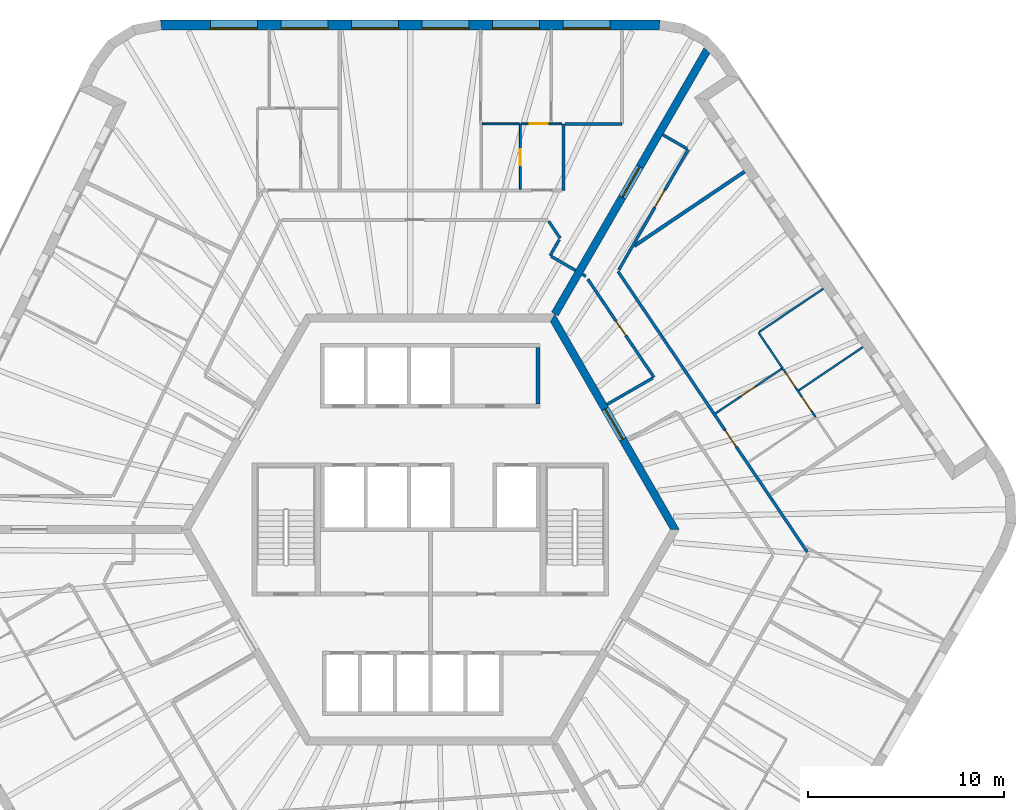
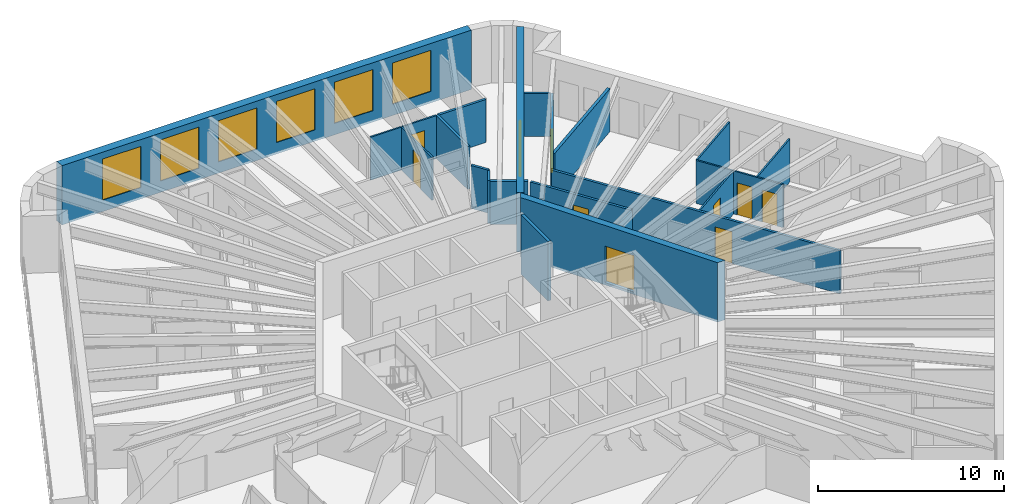
# One storey, part 10 of 12: 24 walls, 10 doors, 6 windows, 16 openings.
"""IFC4 building model written with IfcOpenShell, lengths in metres."""

from ifc_helpers import new_model, si_unit, direction, frame, frame_2d, origin, place, context, subcontext, project, spatial, polyline, rectangle, outline, extrude, material, layer, layer_set, type_object, element, fill, save


model = new_model("IFC4")

# Units and contexts
model_context = context("Model", 3, precision=1e-05, world=origin(), true_north=direction((0.0, 1.0)))
body_context = subcontext(model_context, "Body", "Model", "MODEL_VIEW")
ifc_project = project(units=[si_unit("LENGTHUNIT", "METRE"), si_unit("AREAUNIT", "SQUARE_METRE"), si_unit("VOLUMEUNIT", "CUBIC_METRE"), si_unit("PLANEANGLEUNIT", "RADIAN"), si_unit("MASSUNIT", "GRAM", prefix="KILO")], contexts=[model_context])

# Site, building, storey
site_placement = place(None, origin())
site = spatial("IfcSite", under=ifc_project, at=site_placement, CompositionType="ELEMENT")
building_placement = place(site_placement, origin())
building = spatial("IfcBuilding", under=site, at=building_placement, Name="Tarnside Tower", CompositionType="ELEMENT")
storey_placement = place(building_placement, frame((0.0, 0.0, 260.10009765625)))
storey = spatial("IfcBuildingStorey", under=building, at=storey_placement, Name="L62", CompositionType="ELEMENT", Elevation=260.10009765625)

# Wall, opening, door
ifc_material_1 = material(Name="Gypsum board partition on steel studs", Category="steel")
ifc_layer_1 = layer(ifc_material_1, 0.10009765625)
ifc_layer_set_1 = layer_set([ifc_layer_1], Name="Bathroom wall 100")
wall_type_1 = type_object("IfcWallType", Name="Bathroom wall 100", PredefinedType="PARTITIONING", material=ifc_layer_set_1)
wall_1_placement = place(storey_placement, frame((4.586181640625, 20.699951171875, 0.0), z_axis=(0.0, 0.0, 1.0), x_axis=(0.0, -1.0, 0.0)))
wall_1 = element("IfcWall", 1, at=wall_1_placement, inside=storey, type_object=wall_type_1, Name="Bathroom wall 20085", PredefinedType="PARTITIONING", context=body_context, shape_type="SweptSolid", body=[
    extrude(rectangle(XDim=3.324951171875, YDim=0.10009765625, at=frame_2d((1.66259765625, 0.0))), origin(), (0.0, 0.0, 1.0), 2.8232421875),
])
opening_1_placement = place(wall_1_placement, frame((1.300048828125, 0.0, 0.0)))
opening_1 = element("IfcOpeningElement", 2, at=opening_1_placement, cuts=wall_1, Name="Opening D-B1", PredefinedType="OPENING", context=body_context, shape_type="SweptSolid", body=[
    extrude(rectangle(XDim=0.800048828125, YDim=2.10009765625, at=frame_2d((0.39990234375, 1.050048828125))), frame((0.0, 0.06005859375, 0.0), z_axis=(0.0, -1.0, 0.0), x_axis=(1.0, 0.0, 0.0)), (0.0, 0.0, 1.0), 0.1201171875),
])
ifc_material_2 = material(Name="Timber door leaf", Category="wood")
door_type_1 = type_object("IfcDoorType", Name="Bathroom door 800", OperationType="NOTDEFINED", PredefinedType="DOOR", material=ifc_material_2)
door_1_placement = place(opening_1_placement, origin())
door_1 = element("IfcDoor", 3, at=door_1_placement, inside=storey, type_object=door_type_1, Name="Bathroom door 20002", OperationType="SINGLE_SWING_LEFT", OverallHeight=2.10009765625, OverallWidth=0.800048828125, PredefinedType="DOOR", context=body_context, shape_type="SweptSolid", body=[
    extrude(rectangle(XDim=0.800048828125, YDim=2.10009765625, at=frame_2d((0.39990234375, 1.050048828125))), frame((0.0, 0.02490234375, 0.0), z_axis=(0.0, -1.0, 0.0), x_axis=(1.0, 0.0, 0.0)), (0.0, 0.0, 1.0), 0.050048828125),
])
fill(opening_1, door_1)

# Wall
wall_2_placement = place(storey_placement, frame((4.5380859375, 20.699951171875, 0.0), z_axis=(0.0, 0.0, 1.0), x_axis=(-1.0, 0.0, 0.0)))
element("IfcWall", 4, at=wall_2_placement, inside=storey, type_object=wall_type_1, Name="Bathroom wall 20088", PredefinedType="PARTITIONING", context=body_context, shape_type="SweptSolid", body=[
    extrude(rectangle(XDim=1.904052734375, YDim=0.10009765625, at=frame_2d((0.9521484375, 0.0))), origin(), (0.0, 0.0, 1.0), 2.8232421875),
])

# Wall, opening, door
ifc_material_3 = material(Name="Concrete C60/75", Category="concrete")
ifc_layer_2 = layer(ifc_material_3, 0.39990234375)
ifc_layer_set_2 = layer_set([ifc_layer_2], Name="Core wall Z3 400 C60/75")
wall_type_2 = type_object("IfcWallType", Name="Core wall Z3 400 C60/75", PredefinedType="SHEAR", material=ifc_layer_set_2)
wall_3_placement = place(storey_placement, frame((12.470703125, 0.0, -0.150146484375), z_axis=(0.0, 0.0, 1.0), x_axis=(-0.499996419489, 0.866027470984, 0.0)))
wall_3 = element("IfcWall", 5, at=wall_3_placement, inside=storey, type_object=wall_type_2, Name="L62 core wall face 6", PredefinedType="SHEAR", context=body_context, shape_type="SweptSolid", body=[
    extrude(outline(polyline([(-0.115478515625, -0.199951171875), (12.586181640625, -0.199951171875), (12.355224609375, 0.199951171875), (0.115478515625, 0.199951171875), (-0.115478515625, -0.199951171875)])), origin(), (0.0, 0.0, 1.0), 3.900146484375),
])
opening_2_placement = place(wall_3_placement, frame((5.306396484375, 0.0, 0.14990234375)))
opening_2 = element("IfcOpeningElement", 6, at=opening_2_placement, cuts=wall_3, Name="Opening CD-LOB", PredefinedType="OPENING", context=body_context, shape_type="SweptSolid", body=[
    extrude(rectangle(XDim=1.800048828125, YDim=2.39990234375, at=frame_2d((0.89990234375, 1.199951171875))), frame((0.0, 0.2099609375, 0.0), z_axis=(0.0, -1.0, 0.0), x_axis=(1.0, 0.0, 0.0)), (0.0, 0.0, 1.0), 0.419921875),
])
ifc_material_4 = material(Name="Steel fire door", Category="steel")
door_type_2 = type_object("IfcDoorType", Name="Lobby double door FD30S 1800x2400", OperationType="NOTDEFINED", PredefinedType="DOOR", material=ifc_material_4)
door_2_placement = place(opening_2_placement, origin())
door_2 = element("IfcDoor", 7, at=door_2_placement, inside=storey, type_object=door_type_2, Name="L62 core door P2", OperationType="DOUBLE_DOOR_SINGLE_SWING", OverallHeight=2.39990234375, OverallWidth=1.800048828125, PredefinedType="DOOR", context=body_context, shape_type="SweptSolid", body=[
    extrude(rectangle(XDim=1.800048828125, YDim=2.39990234375, at=frame_2d((0.89990234375, 1.199951171875))), frame((0.0, 0.02490234375, 0.0), z_axis=(0.0, -1.0, 0.0), x_axis=(1.0, 0.0, 0.0)), (0.0, 0.0, 1.0), 0.050048828125),
])
fill(opening_2, door_2)

wall_4_placement = place(storey_placement, frame((6.350830078125, 11.0, -0.150146484375), z_axis=(0.0, 0.0, 1.0), x_axis=(0.499998894578, 0.866026041999, 0.0)))
wall_4 = element("IfcWall", 8, at=wall_4_placement, inside=storey, type_object=wall_type_2, Name="L62 spine wall 1", PredefinedType="SHEAR", context=body_context, shape_type="SweptSolid", body=[
    extrude(rectangle(XDim=15.54443359375, YDim=0.39990234375, at=frame_2d((7.772216796875, 0.0))), origin(), (0.0, 0.0, 1.0), 3.900146484375),
])
opening_3_placement = place(wall_4_placement, frame((6.872314453125, 0.0, 0.14990234375)))
opening_3 = element("IfcOpeningElement", 9, at=opening_3_placement, cuts=wall_4, Name="Opening CD-SPN", PredefinedType="OPENING", context=body_context, shape_type="SweptSolid", body=[
    extrude(rectangle(XDim=1.800048828125, YDim=2.39990234375, at=frame_2d((0.89990234375, 1.199951171875))), frame((0.0, 0.2099609375, 0.0), z_axis=(0.0, -1.0, 0.0), x_axis=(1.0, 0.0, 0.0)), (0.0, 0.0, 1.0), 0.419921875),
])
door_type_3 = type_object("IfcDoorType", Name="Spine passage double door FD60 1800x2400", OperationType="NOTDEFINED", PredefinedType="DOOR", material=ifc_material_4)
door_3_placement = place(opening_3_placement, origin())
door_3 = element("IfcDoor", 10, at=door_3_placement, inside=storey, type_object=door_type_3, Name="L62 spine passage door 1", OperationType="DOUBLE_DOOR_SINGLE_SWING", OverallHeight=2.39990234375, OverallWidth=1.800048828125, PredefinedType="DOOR", context=body_context, shape_type="SweptSolid", body=[
    extrude(rectangle(XDim=1.800048828125, YDim=2.39990234375, at=frame_2d((0.89990234375, 1.199951171875))), frame((0.0, 0.02490234375, 0.0), z_axis=(0.0, -1.0, 0.0), x_axis=(1.0, 0.0, 0.0)), (0.0, 0.0, 1.0), 0.050048828125),
])
fill(opening_3, door_3)

# Walls
ifc_layer_3 = layer(ifc_material_1, 0.14990234375)
ifc_layer_set_3 = layer_set([ifc_layer_3], Name="Corridor wall 150 EI 60")
wall_type_3 = type_object("IfcWallType", Name="Corridor wall 150 EI 60", PredefinedType="PARTITIONING", material=ifc_layer_set_3)
wall_5_placement = place(storey_placement, frame((6.7861328125, 20.699951171875, 0.0), z_axis=(0.0, 0.0, 1.0), x_axis=(0.0, -1.0, 0.0)))
element("IfcWall", 11, at=wall_5_placement, inside=storey, type_object=wall_type_3, Name="Corridor wall 20002", PredefinedType="PARTITIONING", context=body_context, shape_type="SweptSolid", body=[
    extrude(rectangle(XDim=3.39990234375, YDim=0.14990234375, at=frame_2d((1.699951171875, 0.0))), origin(), (0.0, 0.0, 1.0), 2.8232421875),
])
wall_6_placement = place(storey_placement, frame((9.77392578125, 20.699951171875, 0.0), z_axis=(0.0, 0.0, 1.0), x_axis=(-1.0, 0.0, 0.0)))
element("IfcWall", 12, at=wall_6_placement, inside=storey, type_object=wall_type_3, Name="Corridor wall 20005", PredefinedType="PARTITIONING", context=body_context, shape_type="SweptSolid", body=[
    extrude(rectangle(XDim=2.916259765625, YDim=0.14990234375, at=frame_2d((1.4580078125, 0.0))), origin(), (0.0, 0.0, 1.0), 2.8232421875),
])
wall_7_placement = place(storey_placement, frame((6.0390625, 15.72509765625, 0.0), z_axis=(0.0, 0.0, 1.0), x_axis=(0.559307154107, -0.828960498073, 0.0)))
element("IfcWall", 13, at=wall_7_placement, inside=storey, type_object=wall_type_3, Name="Corridor wall 20020", PredefinedType="PARTITIONING", context=body_context, shape_type="SweptSolid", body=[
    extrude(rectangle(XDim=1.03759765625, YDim=0.14990234375, at=frame_2d((0.518798828125, 0.0))), origin(), (0.0, 0.0, 1.0), 2.8232421875),
])
wall_8_placement = place(storey_placement, frame((6.57763671875, 14.792724609375, 0.0), z_axis=(0.0, 0.0, 1.0), x_axis=(-0.499998034377, -0.866026538634, 0.0)))
element("IfcWall", 14, at=wall_8_placement, inside=storey, type_object=wall_type_3, Name="Corridor wall 20021", PredefinedType="PARTITIONING", context=body_context, shape_type="SweptSolid", body=[
    extrude(rectangle(XDim=0.94580078125, YDim=0.14990234375, at=frame_2d((0.472900390625, 0.0))), origin(), (0.0, 0.0, 1.0), 2.8232421875),
])
wall_9_placement = place(storey_placement, frame((6.169677734375, 13.936279296875, 0.0), z_axis=(0.0, 0.0, 1.0), x_axis=(0.865988727248, -0.500063520245, 0.0)))
element("IfcWall", 15, at=wall_9_placement, inside=storey, type_object=wall_type_3, Name="Corridor wall 20022", PredefinedType="PARTITIONING", context=body_context, shape_type="SweptSolid", body=[
    extrude(rectangle(XDim=1.425048828125, YDim=0.14990234375, at=frame_2d((0.71240234375, 0.0))), origin(), (0.0, 0.0, 1.0), 2.8232421875),
])

# Wall, opening, door
wall_10_placement = place(storey_placement, frame((19.22802734375, -1.14599609375, 0.0), z_axis=(0.0, 0.0, 1.0), x_axis=(-0.559190017735, 0.829039519001, 0.0)))
wall_10 = element("IfcWall", 16, at=wall_10_placement, inside=storey, type_object=wall_type_3, Name="Corridor wall 20059", PredefinedType="PARTITIONING", context=body_context, shape_type="SweptSolid", body=[
    extrude(rectangle(XDim=17.273193359375, YDim=0.14990234375, at=frame_2d((8.63671875, 0.0))), origin(), (0.0, 0.0, 1.0), 2.8232421875),
])
opening_4_placement = place(wall_10_placement, frame((6.4775390625, 0.0, 0.0)))
opening_4 = element("IfcOpeningElement", 17, at=opening_4_placement, cuts=wall_10, Name="Opening D-E1", PredefinedType="OPENING", context=body_context, shape_type="SweptSolid", body=[
    extrude(rectangle(XDim=1.0, YDim=2.10009765625, at=frame_2d((0.5, 1.050048828125))), frame((0.0, 0.0849609375, 0.0), z_axis=(0.0, -1.0, 0.0), x_axis=(1.0, 0.0, 0.0)), (0.0, 0.0, 1.0), 0.169921875),
])
door_type_4 = type_object("IfcDoorType", Name="Unit entrance door 1000 FD30S", OperationType="NOTDEFINED", PredefinedType="DOOR", material=ifc_material_2)
door_4_placement = place(opening_4_placement, origin())
door_4 = element("IfcDoor", 18, at=door_4_placement, inside=storey, type_object=door_type_4, Name="Unit door 20065", OperationType="SINGLE_SWING_RIGHT", OverallHeight=2.10009765625, OverallWidth=1.0, PredefinedType="DOOR", context=body_context, shape_type="SweptSolid", body=[
    extrude(rectangle(XDim=1.0, YDim=2.10009765625, at=frame_2d((0.5, 1.050048828125))), frame((0.0, 0.02490234375, 0.0), z_axis=(0.0, -1.0, 0.0), x_axis=(1.0, 0.0, 0.0)), (0.0, 0.0, 1.0), 0.050048828125),
])
fill(opening_4, door_4)

wall_11_placement = place(storey_placement, frame((9.61083984375, 13.246337890625, 0.0), z_axis=(0.0, 0.0, 1.0), x_axis=(0.499994435258, 0.866028616566, 0.0)))
wall_11 = element("IfcWall", 19, at=wall_11_placement, inside=storey, type_object=wall_type_3, Name="Corridor wall 20064", PredefinedType="PARTITIONING", context=body_context, shape_type="SweptSolid", body=[
    extrude(rectangle(XDim=7.0966796875, YDim=0.14990234375, at=frame_2d((3.54833984375, 0.0))), origin(), (0.0, 0.0, 1.0), 2.8232421875),
])
opening_5_placement = place(wall_11_placement, frame((3.696044921875, 0.0, 0.0)))
opening_5 = element("IfcOpeningElement", 20, at=opening_5_placement, cuts=wall_11, Name="Opening D-E1", PredefinedType="OPENING", context=body_context, shape_type="SweptSolid", body=[
    extrude(rectangle(XDim=1.0, YDim=2.10009765625, at=frame_2d((0.5, 1.050048828125))), frame((0.0, 0.0849609375, 0.0), z_axis=(0.0, -1.0, 0.0), x_axis=(1.0, 0.0, 0.0)), (0.0, 0.0, 1.0), 0.169921875),
])
door_5_placement = place(opening_5_placement, origin())
door_5 = element("IfcDoor", 21, at=door_5_placement, inside=storey, type_object=door_type_4, Name="Unit door 20070", OperationType="SINGLE_SWING_RIGHT", OverallHeight=2.10009765625, OverallWidth=1.0, PredefinedType="DOOR", context=body_context, shape_type="SweptSolid", body=[
    extrude(rectangle(XDim=1.0, YDim=2.10009765625, at=frame_2d((0.5, 1.050048828125))), frame((0.0, 0.02490234375, 0.0), z_axis=(0.0, -1.0, 0.0), x_axis=(1.0, 0.0, 0.0)), (0.0, 0.0, 1.0), 0.050048828125),
])
fill(opening_5, door_5)

# Walls
wall_12_placement = place(storey_placement, frame((13.09423828125, 19.429931640625, 0.0), z_axis=(0.0, 0.0, 1.0), x_axis=(-0.866062911188, 0.499935029643, 0.0)))
element("IfcWall", 22, at=wall_12_placement, inside=storey, type_object=wall_type_3, Name="Corridor wall 20068", PredefinedType="PARTITIONING", context=body_context, shape_type="SweptSolid", body=[
    extrude(rectangle(XDim=1.425048828125, YDim=0.14990234375, at=frame_2d((0.71240234375, 0.0))), origin(), (0.0, 0.0, 1.0), 2.8232421875),
])
wall_13_placement = place(storey_placement, frame((7.750244140625, 13.023681640625, 0.0), z_axis=(0.0, 0.0, 1.0), x_axis=(0.866088799389, -0.499890179513, 0.0)))
element("IfcWall", 23, at=wall_13_placement, inside=storey, type_object=wall_type_3, Name="Corridor wall 20078", PredefinedType="PARTITIONING", context=body_context, shape_type="SweptSolid", body=[
    extrude(rectangle(XDim=0.2099609375, YDim=0.14990234375, at=frame_2d((0.10498046875, 0.0))), origin(), (0.0, 0.0, 1.0), 2.8232421875),
])

# Wall, opening, door
wall_14_placement = place(storey_placement, frame((8.02783203125, 12.77685546875, 0.0), z_axis=(0.0, 0.0, 1.0), x_axis=(0.559175239609, -0.829049486707, 0.0)))
wall_14 = element("IfcWall", 24, at=wall_14_placement, inside=storey, type_object=wall_type_3, Name="Corridor wall 20079", PredefinedType="PARTITIONING", context=body_context, shape_type="SweptSolid", body=[
    extrude(rectangle(XDim=6.044921875, YDim=0.14990234375, at=frame_2d((3.0224609375, 0.0))), origin(), (0.0, 0.0, 1.0), 2.8232421875),
])
opening_6_placement = place(wall_14_placement, frame((2.572265625, 0.0, 0.0)))
opening_6 = element("IfcOpeningElement", 25, at=opening_6_placement, cuts=wall_14, Name="Opening D-S1", PredefinedType="OPENING", context=body_context, shape_type="SweptSolid", body=[
    extrude(rectangle(XDim=0.89990234375, YDim=2.10009765625, at=frame_2d((0.449951171875, 1.050048828125))), frame((0.0, 0.0849609375, 0.0), z_axis=(0.0, -1.0, 0.0), x_axis=(1.0, 0.0, 0.0)), (0.0, 0.0, 1.0), 0.169921875),
])
door_type_5 = type_object("IfcDoorType", Name="Service room door 900 FD30S", OperationType="NOTDEFINED", PredefinedType="DOOR", material=ifc_material_2)
door_6_placement = place(opening_6_placement, origin())
door_6 = element("IfcDoor", 26, at=door_6_placement, inside=storey, type_object=door_type_5, Name="Service door 20077", OperationType="SINGLE_SWING_RIGHT", OverallHeight=2.10009765625, OverallWidth=0.89990234375, PredefinedType="DOOR", context=body_context, shape_type="SweptSolid", body=[
    extrude(rectangle(XDim=0.89990234375, YDim=2.10009765625, at=frame_2d((0.449951171875, 1.050048828125))), frame((0.0, 0.02490234375, 0.0), z_axis=(0.0, -1.0, 0.0), x_axis=(1.0, 0.0, 0.0)), (0.0, 0.0, 1.0), 0.050048828125),
])
fill(opening_6, door_6)

# Walls
wall_15_placement = place(storey_placement, frame((11.3427734375, 7.727783203125, 0.0), z_axis=(0.0, 0.0, 1.0), x_axis=(-0.866037314867, -0.499979368833, 0.0)))
element("IfcWall", 27, at=wall_15_placement, inside=storey, type_object=wall_type_3, Name="Corridor wall 20080", PredefinedType="PARTITIONING", context=body_context, shape_type="SweptSolid", body=[
    extrude(rectangle(XDim=2.68701171875, YDim=0.14990234375, at=frame_2d((1.343505859375, 0.0))), origin(), (0.0, 0.0, 1.0), 2.8232421875),
])
ifc_layer_4 = layer(ifc_material_1, 0.179931640625)
ifc_layer_set_4 = layer_set([ifc_layer_4], Name="Demising wall 180 EI 60")
wall_type_4 = type_object("IfcWallType", Name="Demising wall 180 EI 60", PredefinedType="PARTITIONING", material=ifc_layer_set_4)
wall_16_placement = place(storey_placement, frame((16.029296875, 18.260498046875, 0.0), z_axis=(0.0, 0.0, 1.0), x_axis=(-0.82904538001, -0.559181328268, 0.0)))
element("IfcWall", 28, at=wall_16_placement, inside=storey, type_object=wall_type_4, Name="Demising wall 20162", PredefinedType="PARTITIONING", context=body_context, shape_type="SweptSolid", body=[
    extrude(rectangle(XDim=6.78955078125, YDim=0.179931640625, at=frame_2d((3.394775390625, 0.0))), origin(), (0.0, 0.0, 1.0), 2.8232421875),
])
ifc_material_5 = material(Name="Concrete C40/50", Category="concrete")
ifc_layer_5 = layer(ifc_material_5, 0.199951171875)
ifc_layer_set_5 = layer_set([ifc_layer_5], Name="Lift shaft wall 200 C40/50")
wall_type_5 = type_object("IfcWallType", Name="Lift shaft wall 200 C40/50", PredefinedType="SHEAR", material=ifc_layer_set_5)
wall_17_placement = place(storey_placement, frame((5.5, 6.39990234375, -0.25), z_axis=(0.0, 0.0, 1.0), x_axis=(0.0, 1.0, 0.0)))
element("IfcWall", 29, at=wall_17_placement, inside=storey, type_object=wall_type_5, Name="L62 lift shaft partition R16", PredefinedType="SHEAR", context=body_context, shape_type="SweptSolid", body=[
    extrude(rectangle(XDim=2.900146484375, YDim=0.199951171875, at=frame_2d((1.4501953125, 0.0))), origin(), (0.0, 0.0, 1.0), 3.89990234375),
])

# Wall, opening, door
ifc_layer_6 = layer(ifc_material_1, 0.10009765625)
ifc_layer_set_6 = layer_set([ifc_layer_6], Name="Partition 100")
wall_type_6 = type_object("IfcWallType", Name="Partition 100", PredefinedType="PARTITIONING", material=ifc_layer_set_6)
wall_18_placement = place(storey_placement, frame((6.713134765625, 20.699951171875, 0.0), z_axis=(0.0, 0.0, 1.0), x_axis=(-1.0, 0.0, 0.0)))
wall_18 = element("IfcWall", 30, at=wall_18_placement, inside=storey, type_object=wall_type_6, Name="Partition wall 20086", PredefinedType="PARTITIONING", context=body_context, shape_type="SweptSolid", body=[
    extrude(rectangle(XDim=2.0791015625, YDim=0.10009765625, at=frame_2d((1.03955078125, 0.0))), origin(), (0.0, 0.0, 1.0), 2.8232421875),
])
opening_7_placement = place(wall_18_placement, frame((0.738037109375, 0.0, 0.0)))
opening_7 = element("IfcOpeningElement", 31, at=opening_7_placement, cuts=wall_18, Name="Opening D-I1", PredefinedType="OPENING", context=body_context, shape_type="SweptSolid", body=[
    extrude(rectangle(XDim=0.89990234375, YDim=2.10009765625, at=frame_2d((0.449951171875, 1.050048828125))), frame((0.0, 0.06005859375, 0.0), z_axis=(0.0, -1.0, 0.0), x_axis=(1.0, 0.0, 0.0)), (0.0, 0.0, 1.0), 0.1201171875),
])
door_type_6 = type_object("IfcDoorType", Name="Internal door 900", OperationType="NOTDEFINED", PredefinedType="DOOR", material=ifc_material_2)
door_7_placement = place(opening_7_placement, origin())
door_7 = element("IfcDoor", 32, at=door_7_placement, inside=storey, type_object=door_type_6, Name="Internal door 20005", OperationType="SINGLE_SWING_RIGHT", OverallHeight=2.10009765625, OverallWidth=0.89990234375, PredefinedType="DOOR", context=body_context, shape_type="SweptSolid", body=[
    extrude(rectangle(XDim=0.89990234375, YDim=2.10009765625, at=frame_2d((0.449951171875, 1.050048828125))), frame((0.0, 0.02490234375, 0.0), z_axis=(0.0, -1.0, 0.0), x_axis=(1.0, 0.0, 0.0)), (0.0, 0.0, 1.0), 0.050048828125),
])
fill(opening_7, door_7)

wall_19_placement = place(storey_placement, frame((14.5498046875, 5.924072265625, 0.0), z_axis=(0.0, 0.0, 1.0), x_axis=(0.829005765264, 0.559240056827, 0.0)))
wall_19 = element("IfcWall", 33, at=wall_19_placement, inside=storey, type_object=wall_type_6, Name="Partition wall 20159", PredefinedType="PARTITIONING", context=body_context, shape_type="SweptSolid", body=[
    extrude(rectangle(XDim=4.125, YDim=0.10009765625, at=frame_2d((2.0625, 0.0))), origin(), (0.0, 0.0, 1.0), 2.8232421875),
])
opening_8_placement = place(wall_19_placement, frame((1.574951171875, 0.0, 0.0)))
opening_8 = element("IfcOpeningElement", 34, at=opening_8_placement, cuts=wall_19, Name="Opening D-I1", PredefinedType="OPENING", context=body_context, shape_type="SweptSolid", body=[
    extrude(rectangle(XDim=0.89990234375, YDim=2.10009765625, at=frame_2d((0.449951171875, 1.050048828125))), frame((0.0, 0.06005859375, 0.0), z_axis=(0.0, -1.0, 0.0), x_axis=(1.0, 0.0, 0.0)), (0.0, 0.0, 1.0), 0.1201171875),
])
door_8_placement = place(opening_8_placement, origin())
door_8 = element("IfcDoor", 35, at=door_8_placement, inside=storey, type_object=door_type_6, Name="Internal door 20067", OperationType="SINGLE_SWING_RIGHT", OverallHeight=2.10009765625, OverallWidth=0.89990234375, PredefinedType="DOOR", context=body_context, shape_type="SweptSolid", body=[
    extrude(rectangle(XDim=0.89990234375, YDim=2.10009765625, at=frame_2d((0.449951171875, 1.050048828125))), frame((0.0, 0.02490234375, 0.0), z_axis=(0.0, -1.0, 0.0), x_axis=(1.0, 0.0, 0.0)), (0.0, 0.0, 1.0), 0.050048828125),
])
fill(opening_8, door_8)

# Walls
wall_20_placement = place(storey_placement, frame((17.970703125, 8.229248046875, 0.0), z_axis=(0.0, 0.0, 1.0), x_axis=(-0.559246231198, 0.829001600053, 0.0)))
element("IfcWall", 36, at=wall_20_placement, inside=storey, type_object=wall_type_6, Name="Partition wall 20160", PredefinedType="PARTITIONING", context=body_context, shape_type="SweptSolid", body=[
    extrude(rectangle(XDim=2.201904296875, YDim=0.10009765625, at=frame_2d((1.10107421875, 0.0))), origin(), (0.0, 0.0, 1.0), 2.8232421875),
])
wall_21_placement = place(storey_placement, frame((16.78076171875, 10.082763671875, 0.0), z_axis=(0.0, 0.0, 1.0), x_axis=(0.829042808667, 0.559185140536, 0.0)))
element("IfcWall", 37, at=wall_21_placement, inside=storey, type_object=wall_type_6, Name="Partition wall 20161", PredefinedType="PARTITIONING", context=body_context, shape_type="SweptSolid", body=[
    extrude(rectangle(XDim=3.949951171875, YDim=0.10009765625, at=frame_2d((1.97509765625, 0.0))), origin(), (0.0, 0.0, 1.0), 2.8232421875),
])

# Wall, openings, doors
wall_22_placement = place(storey_placement, frame((19.648193359375, 5.7421875, 0.0), z_axis=(0.0, 0.0, 1.0), x_axis=(-0.559193191328, 0.829037378393, 0.0)))
wall_22 = element("IfcWall", 38, at=wall_22_placement, inside=storey, type_object=wall_type_6, Name="Partition wall 20164", PredefinedType="PARTITIONING", context=body_context, shape_type="SweptSolid", body=[
    extrude(rectangle(XDim=2.9541015625, YDim=0.10009765625, at=frame_2d((1.47705078125, 0.0))), origin(), (0.0, 0.0, 1.0), 2.8232421875),
])
opening_9_placement = place(wall_22_placement, frame((0.35205078125, 0.0, 0.0)))
opening_9 = element("IfcOpeningElement", 39, at=opening_9_placement, cuts=wall_22, Name="Opening D-I1", PredefinedType="OPENING", context=body_context, shape_type="SweptSolid", body=[
    extrude(rectangle(XDim=0.89990234375, YDim=2.10009765625, at=frame_2d((0.449951171875, 1.050048828125))), frame((0.0, 0.06005859375, 0.0), z_axis=(0.0, -1.0, 0.0), x_axis=(1.0, 0.0, 0.0)), (0.0, 0.0, 1.0), 0.1201171875),
])
opening_10_placement = place(wall_22_placement, frame((1.85205078125, 0.0, 0.0)))
opening_10 = element("IfcOpeningElement", 40, at=opening_10_placement, cuts=wall_22, Name="Opening D-I1", PredefinedType="OPENING", context=body_context, shape_type="SweptSolid", body=[
    extrude(rectangle(XDim=0.89990234375, YDim=2.10009765625, at=frame_2d((0.449951171875, 1.050048828125))), frame((0.0, 0.06005859375, 0.0), z_axis=(0.0, -1.0, 0.0), x_axis=(1.0, 0.0, 0.0)), (0.0, 0.0, 1.0), 0.1201171875),
])
door_9_placement = place(opening_9_placement, origin())
door_9 = element("IfcDoor", 41, at=door_9_placement, inside=storey, type_object=door_type_6, Name="Internal door 20068", OperationType="SINGLE_SWING_RIGHT", OverallHeight=2.10009765625, OverallWidth=0.89990234375, PredefinedType="DOOR", context=body_context, shape_type="SweptSolid", body=[
    extrude(rectangle(XDim=0.89990234375, YDim=2.10009765625, at=frame_2d((0.449951171875, 1.050048828125))), frame((0.0, 0.02490234375, 0.0), z_axis=(0.0, -1.0, 0.0), x_axis=(1.0, 0.0, 0.0)), (0.0, 0.0, 1.0), 0.050048828125),
])
fill(opening_9, door_9)
door_10_placement = place(opening_10_placement, origin())
door_10 = element("IfcDoor", 42, at=door_10_placement, inside=storey, type_object=door_type_6, Name="Internal door 20069", OperationType="SINGLE_SWING_LEFT", OverallHeight=2.10009765625, OverallWidth=0.89990234375, PredefinedType="DOOR", context=body_context, shape_type="SweptSolid", body=[
    extrude(rectangle(XDim=0.89990234375, YDim=2.10009765625, at=frame_2d((0.449951171875, 1.050048828125))), frame((0.0, 0.02490234375, 0.0), z_axis=(0.0, -1.0, 0.0), x_axis=(1.0, 0.0, 0.0)), (0.0, 0.0, 1.0), 0.050048828125),
])
fill(opening_10, door_10)

# Wall
wall_23_placement = place(storey_placement, frame((22.068603515625, 9.306884765625, 0.0), z_axis=(0.0, 0.0, 1.0), x_axis=(-0.829062134085, -0.559156487779, 0.0)))
element("IfcWall", 43, at=wall_23_placement, inside=storey, type_object=wall_type_6, Name="Partition wall 20167", PredefinedType="PARTITIONING", context=body_context, shape_type="SweptSolid", body=[
    extrude(rectangle(XDim=3.9501953125, YDim=0.10009765625, at=frame_2d((1.97509765625, 0.0))), origin(), (0.0, 0.0, 1.0), 2.8232421875),
])

# Wall, openings, windows
ifc_material_6 = material(Name="Facing brick", Category="masonry")
ifc_layer_7 = layer(ifc_material_6, 0.10205078125)
ifc_material_7 = material(Name="Concrete C60/75 precast", Category="concrete")
ifc_layer_8 = layer(ifc_material_7, 0.298095703125)
ifc_material_8 = material(Name="Mineral wool insulation")
ifc_layer_9 = layer(ifc_material_8, 0.10009765625)
ifc_layer_set_7 = layer_set([ifc_layer_7, ifc_layer_8, ifc_layer_9], Name="Tube wall 500 brick faced")
wall_type_7 = type_object("IfcWallType", Name="Tube wall 500 brick faced", PredefinedType="SOLIDWALL", material=ifc_layer_set_7)
wall_24_placement = place(storey_placement, frame((11.697509765625, 25.75, -0.150146484375), z_axis=(0.0, 0.0, 1.0), x_axis=(-1.0, 0.0, 0.0)))
wall_24 = element("IfcWall", 44, at=wall_24_placement, inside=storey, type_object=wall_type_7, Name="Tube wall L62 F1 flush 00", PredefinedType="SOLIDWALL", context=body_context, shape_type="SweptSolid", body=[
    extrude(outline(polyline([(-0.0205078125, -0.25), (25.468017578125, -0.25), (25.421142578125, 0.25), (0.0205078125, 0.25), (-0.0205078125, -0.25)])), origin(), (0.0, 0.0, 1.0), 3.900146484375),
])
opening_11_placement = place(wall_24_placement, frame((2.5224609375, 0.0, 0.75)))
opening_11 = element("IfcOpeningElement", 45, at=opening_11_placement, cuts=wall_24, Name="Opening WR", PredefinedType="OPENING", context=body_context, shape_type="SweptSolid", body=[
    extrude(rectangle(XDim=2.39990234375, YDim=2.699951171875, at=frame_2d((1.199951171875, 1.35009765625))), frame((0.0, 0.260009765625, 0.0), z_axis=(0.0, -1.0, 0.0), x_axis=(1.0, 0.0, 0.0)), (0.0, 0.0, 1.0), 0.52001953125),
])
opening_12_placement = place(wall_24_placement, frame((6.122314453125, 0.0, 0.75)))
opening_12 = element("IfcOpeningElement", 46, at=opening_12_placement, cuts=wall_24, Name="Opening WR", PredefinedType="OPENING", context=body_context, shape_type="SweptSolid", body=[
    extrude(rectangle(XDim=2.39990234375, YDim=2.699951171875, at=frame_2d((1.199951171875, 1.35009765625))), frame((0.0, 0.260009765625, 0.0), z_axis=(0.0, -1.0, 0.0), x_axis=(1.0, 0.0, 0.0)), (0.0, 0.0, 1.0), 0.52001953125),
])
opening_13_placement = place(wall_24_placement, frame((9.722412109375, 0.0, 0.75)))
opening_13 = element("IfcOpeningElement", 47, at=opening_13_placement, cuts=wall_24, Name="Opening WR", PredefinedType="OPENING", context=body_context, shape_type="SweptSolid", body=[
    extrude(rectangle(XDim=2.39990234375, YDim=2.699951171875, at=frame_2d((1.199951171875, 1.35009765625))), frame((0.0, 0.260009765625, 0.0), z_axis=(0.0, -1.0, 0.0), x_axis=(1.0, 0.0, 0.0)), (0.0, 0.0, 1.0), 0.52001953125),
])
opening_14_placement = place(wall_24_placement, frame((13.322509765625, 0.0, 0.75)))
opening_14 = element("IfcOpeningElement", 48, at=opening_14_placement, cuts=wall_24, Name="Opening WR", PredefinedType="OPENING", context=body_context, shape_type="SweptSolid", body=[
    extrude(rectangle(XDim=2.39990234375, YDim=2.699951171875, at=frame_2d((1.199951171875, 1.35009765625))), frame((0.0, 0.260009765625, 0.0), z_axis=(0.0, -1.0, 0.0), x_axis=(1.0, 0.0, 0.0)), (0.0, 0.0, 1.0), 0.52001953125),
])
opening_15_placement = place(wall_24_placement, frame((16.92236328125, 0.0, 0.75)))
opening_15 = element("IfcOpeningElement", 49, at=opening_15_placement, cuts=wall_24, Name="Opening WR", PredefinedType="OPENING", context=body_context, shape_type="SweptSolid", body=[
    extrude(rectangle(XDim=2.39990234375, YDim=2.699951171875, at=frame_2d((1.199951171875, 1.35009765625))), frame((0.0, 0.260009765625, 0.0), z_axis=(0.0, -1.0, 0.0), x_axis=(1.0, 0.0, 0.0)), (0.0, 0.0, 1.0), 0.52001953125),
])
opening_16_placement = place(wall_24_placement, frame((20.5224609375, 0.0, 0.75)))
opening_16 = element("IfcOpeningElement", 50, at=opening_16_placement, cuts=wall_24, Name="Opening WR", PredefinedType="OPENING", context=body_context, shape_type="SweptSolid", body=[
    extrude(rectangle(XDim=2.39990234375, YDim=2.699951171875, at=frame_2d((1.199951171875, 1.35009765625))), frame((0.0, 0.260009765625, 0.0), z_axis=(0.0, -1.0, 0.0), x_axis=(1.0, 0.0, 0.0)), (0.0, 0.0, 1.0), 0.52001953125),
])
ifc_material_9 = material(Name="Aluminium-framed double glazing", Category="aluminium")
window_type = type_object("IfcWindowType", Name="Residence window 2400 x 2700", PartitioningType="DOUBLE_PANEL_VERTICAL", PredefinedType="WINDOW", material=ifc_material_9)
window_1_placement = place(opening_11_placement, frame((0.0, 0.179931640625, 0.0)))
window_1 = element("IfcWindow", 51, at=window_1_placement, inside=storey, type_object=window_type, Name="E.WN.L62.F1.00", OverallHeight=2.699951171875, OverallWidth=2.39990234375, PartitioningType="DOUBLE_PANEL_VERTICAL", PredefinedType="WINDOW", context=body_context, shape_type="SweptSolid", body=[
    extrude(rectangle(XDim=2.39990234375, YDim=2.699951171875, at=frame_2d((1.199951171875, 1.35009765625))), frame((0.0, 0.030029296875, 0.0), z_axis=(0.0, -1.0, 0.0), x_axis=(1.0, 0.0, 0.0)), (0.0, 0.0, 1.0), 0.06005859375),
])
fill(opening_11, window_1)
window_2_placement = place(opening_12_placement, frame((0.0, 0.179931640625, 0.0)))
window_2 = element("IfcWindow", 52, at=window_2_placement, inside=storey, type_object=window_type, Name="E.WN.L62.F1.01", OverallHeight=2.699951171875, OverallWidth=2.39990234375, PartitioningType="DOUBLE_PANEL_VERTICAL", PredefinedType="WINDOW", context=body_context, shape_type="SweptSolid", body=[
    extrude(rectangle(XDim=2.39990234375, YDim=2.699951171875, at=frame_2d((1.199951171875, 1.35009765625))), frame((0.0, 0.030029296875, 0.0), z_axis=(0.0, -1.0, 0.0), x_axis=(1.0, 0.0, 0.0)), (0.0, 0.0, 1.0), 0.06005859375),
])
fill(opening_12, window_2)
window_3_placement = place(opening_13_placement, frame((0.0, 0.179931640625, 0.0)))
window_3 = element("IfcWindow", 53, at=window_3_placement, inside=storey, type_object=window_type, Name="E.WN.L62.F1.02", OverallHeight=2.699951171875, OverallWidth=2.39990234375, PartitioningType="DOUBLE_PANEL_VERTICAL", PredefinedType="WINDOW", context=body_context, shape_type="SweptSolid", body=[
    extrude(rectangle(XDim=2.39990234375, YDim=2.699951171875, at=frame_2d((1.199951171875, 1.35009765625))), frame((0.0, 0.030029296875, 0.0), z_axis=(0.0, -1.0, 0.0), x_axis=(1.0, 0.0, 0.0)), (0.0, 0.0, 1.0), 0.06005859375),
])
fill(opening_13, window_3)
window_4_placement = place(opening_14_placement, frame((0.0, 0.179931640625, 0.0)))
window_4 = element("IfcWindow", 54, at=window_4_placement, inside=storey, type_object=window_type, Name="E.WN.L62.F1.03", OverallHeight=2.699951171875, OverallWidth=2.39990234375, PartitioningType="DOUBLE_PANEL_VERTICAL", PredefinedType="WINDOW", context=body_context, shape_type="SweptSolid", body=[
    extrude(rectangle(XDim=2.39990234375, YDim=2.699951171875, at=frame_2d((1.199951171875, 1.35009765625))), frame((0.0, 0.030029296875, 0.0), z_axis=(0.0, -1.0, 0.0), x_axis=(1.0, 0.0, 0.0)), (0.0, 0.0, 1.0), 0.06005859375),
])
fill(opening_14, window_4)
window_5_placement = place(opening_15_placement, frame((0.0, 0.179931640625, 0.0)))
window_5 = element("IfcWindow", 55, at=window_5_placement, inside=storey, type_object=window_type, Name="E.WN.L62.F1.04", OverallHeight=2.699951171875, OverallWidth=2.39990234375, PartitioningType="DOUBLE_PANEL_VERTICAL", PredefinedType="WINDOW", context=body_context, shape_type="SweptSolid", body=[
    extrude(rectangle(XDim=2.39990234375, YDim=2.699951171875, at=frame_2d((1.199951171875, 1.35009765625))), frame((0.0, 0.030029296875, 0.0), z_axis=(0.0, -1.0, 0.0), x_axis=(1.0, 0.0, 0.0)), (0.0, 0.0, 1.0), 0.06005859375),
])
fill(opening_15, window_5)
window_6_placement = place(opening_16_placement, frame((0.0, 0.179931640625, 0.0)))
window_6 = element("IfcWindow", 56, at=window_6_placement, inside=storey, type_object=window_type, Name="E.WN.L62.F1.05", OverallHeight=2.699951171875, OverallWidth=2.39990234375, PartitioningType="DOUBLE_PANEL_VERTICAL", PredefinedType="WINDOW", context=body_context, shape_type="SweptSolid", body=[
    extrude(rectangle(XDim=2.39990234375, YDim=2.699951171875, at=frame_2d((1.199951171875, 1.35009765625))), frame((0.0, 0.030029296875, 0.0), z_axis=(0.0, -1.0, 0.0), x_axis=(1.0, 0.0, 0.0)), (0.0, 0.0, 1.0), 0.06005859375),
])
fill(opening_16, window_6)

save(model, "model.ifc")
